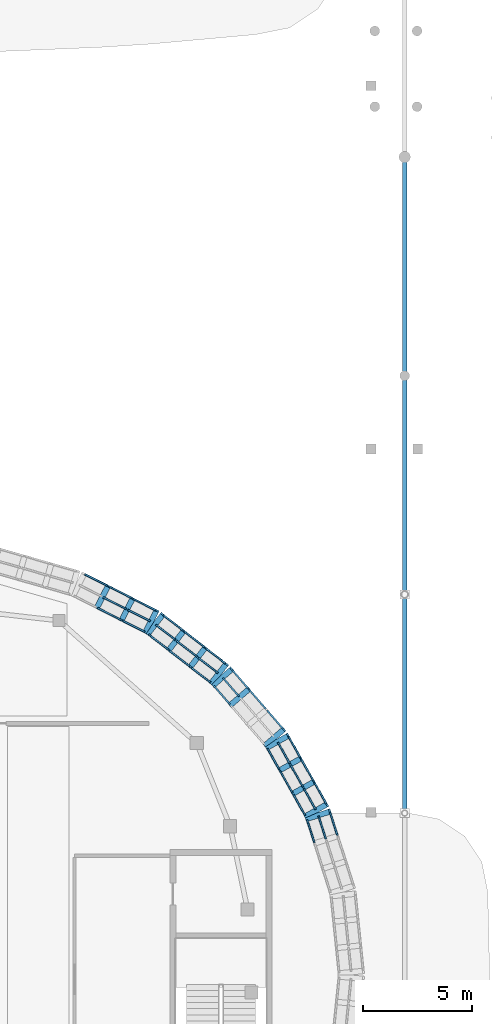
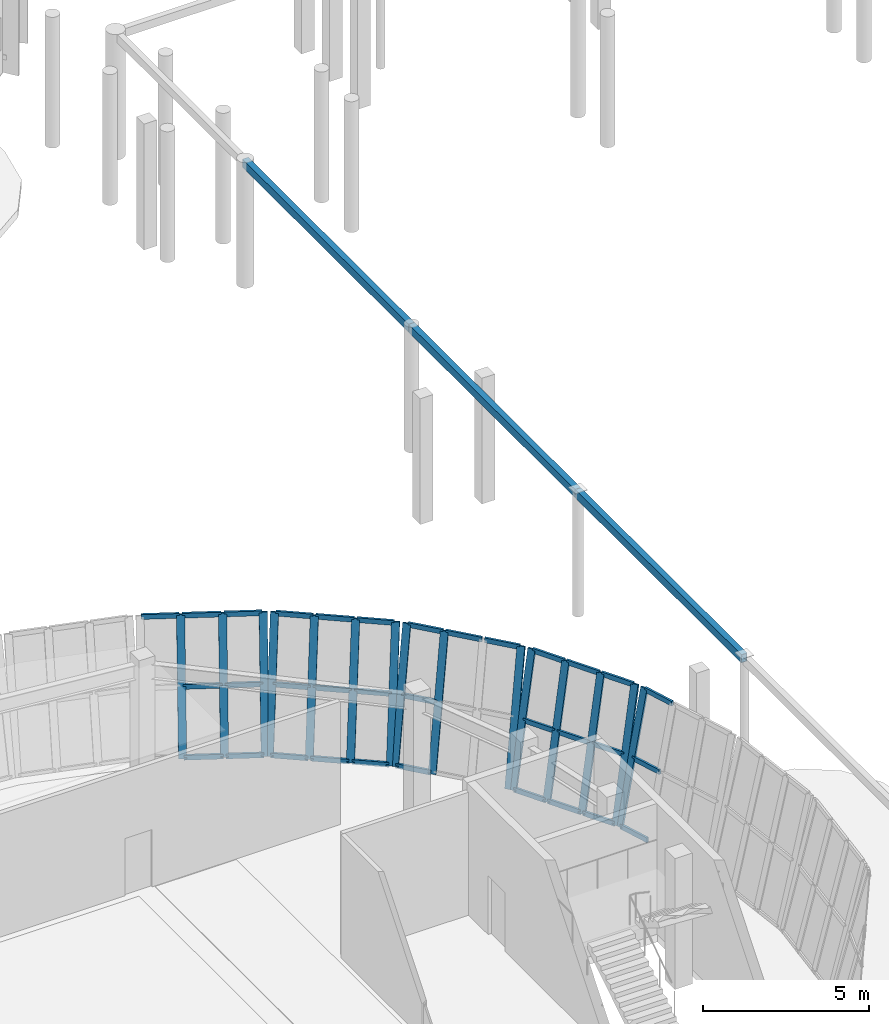
# One storey, part 29 of 120: 48 members, 3 beams, 5 elements without a shape of their own.
"""IFC4 building model written with IfcOpenShell, lengths in metres."""

import ifcopenshell
import ifcopenshell.guid

model = None  # the IFC model being written
_history = None  # IfcOwnerHistory: only IFC2X3 demands one
_inside = {}  # id of a spatial element -> (the spatial element, [elements in it])
_under = {}  # id of a project, library or spatial element -> (it, [spatial elements below it])
_declared = {}  # id of a project -> (the project, [libraries it declares])
_typed = {}  # id of a type object -> (the type object, [elements of that type])
_made_of = {}  # id of a material, layer set ... -> (it, [elements and type objects made of it])


def new_model(schema):
    """Start an empty IFC model of exactly this schema.

    Asked for "IFC4X3", IfcOpenShell would pick the latest addendum, in which some entities
    have other attributes; the version numbers below select the first issue.
    IFC2X3 requires an IfcOwnerHistory on every rooted entity: one is made here for all.
    """
    global model, _history
    if schema == "IFC4X3":
        model = ifcopenshell.file(schema_version=(4, 3, 0, 0))
    else:
        model = ifcopenshell.file(schema=schema)
    _inside.clear()
    _under.clear()
    _declared.clear()
    _typed.clear()
    _made_of.clear()
    _history = None
    if model.schema == "IFC2X3":
        org = make("IfcOrganization", Name="unknown")
        user = make(
            "IfcPersonAndOrganization",
            ThePerson=make("IfcPerson", FamilyName="unknown"),
            TheOrganization=org,
        )
        app = make(
            "IfcApplication",
            ApplicationDeveloper=org,
            Version="unknown",
            ApplicationFullName="unknown",
            ApplicationIdentifier="unknown",
        )
        _history = make(
            "IfcOwnerHistory",
            OwningUser=user,
            OwningApplication=app,
            ChangeAction="ADDED",
            CreationDate=0,
        )
    return model


def make(cls, **values):
    """One entity of the class cls with the attributes given. An attribute that is None is left unset."""
    return model.create_entity(
        cls, **{name: value for name, value in values.items() if value is not None}
    )


def rooted(cls, **values):
    """An entity with a GlobalId (a new one), such as an element, a storey or a relation."""
    return make(cls, GlobalId=ifcopenshell.guid.new(), OwnerHistory=_history, **values)


def si_unit(unit_type, name, prefix=None):
    """IfcSIUnit, for example si_unit("LENGTHUNIT", "METRE", prefix="MILLI")."""
    return make("IfcSIUnit", UnitType=unit_type, Prefix=prefix, Name=name)


def assignment(units):
    """IfcUnitAssignment: the units of a project."""
    return None if units is None else make("IfcUnitAssignment", Units=units)


def point(xyz):
    """IfcCartesianPoint."""
    return None if xyz is None else make("IfcCartesianPoint", Coordinates=xyz)


def direction(xyz):
    """IfcDirection."""
    return None if xyz is None else make("IfcDirection", DirectionRatios=xyz)


def frame(location, z_axis=None, x_axis=None):
    """IfcAxis2Placement3D, a coordinate frame: its origin and axes. An axis left out is left unset."""
    return make(
        "IfcAxis2Placement3D",
        Location=point(location),
        Axis=direction(z_axis),
        RefDirection=direction(x_axis),
    )


def frame_2d(location, x_axis=None):
    """IfcAxis2Placement2D, a coordinate frame in the plane: its origin and x axis."""
    return make(
        "IfcAxis2Placement2D", Location=point(location), RefDirection=direction(x_axis)
    )


def origin():
    """The frame at (0, 0, 0) with its axes left unset."""
    return frame((0.0, 0.0, 0.0))


def origin_2d():
    """The frame at (0, 0) in the plane with its x axis left unset."""
    return frame_2d((0.0, 0.0))


def place(relative_to, where):
    """IfcLocalPlacement: puts the frame where relative to a parent placement (None: the world)."""
    return make(
        "IfcLocalPlacement", PlacementRelTo=relative_to, RelativePlacement=where
    )


def context(
    kind, dimensions, precision=None, world=None, true_north=None, identifier=None
):
    """IfcGeometricRepresentationContext, for example the 3D "Model" context."""
    return make(
        "IfcGeometricRepresentationContext",
        ContextIdentifier=identifier,
        ContextType=kind,
        CoordinateSpaceDimension=dimensions,
        Precision=precision,
        WorldCoordinateSystem=world,
        TrueNorth=true_north,
    )


def subcontext(parent, identifier, kind, view, scale=None):
    """IfcGeometricRepresentationSubContext, for example "Body" below "Model"."""
    return make(
        "IfcGeometricRepresentationSubContext",
        ContextIdentifier=identifier,
        ContextType=kind,
        ParentContext=parent,
        TargetScale=scale,
        TargetView=view,
    )


def project(units=None, contexts=None):
    """IfcProject with its units and contexts."""
    return rooted(
        "IfcProject",
        Name="project",
        RepresentationContexts=contexts,
        UnitsInContext=assignment(units),
    )


def spatial(cls, under=None, at=None, **own):
    """A site, building, storey or space (cls), placed at a placement, below another one or the project."""
    s = rooted(cls, ObjectPlacement=at, **own)
    if under is not None:
        _under.setdefault(under.id(), (under, []))[1].append(s)
    return s


def profile(cls, at=None, kind="AREA", **sizes):
    """A parametric profile (cls). Its sizes go by their IFC names, for example OverallWidth=200.0."""
    return make(cls, ProfileType=kind, Position=at, **sizes)


def rectangle(**sizes):
    """IfcRectangleProfileDef."""
    return profile("IfcRectangleProfileDef", **sizes)


def hollow_rectangle(**sizes):
    """IfcRectangleHollowProfileDef."""
    return profile("IfcRectangleHollowProfileDef", **sizes)


def extrude(swept, where, along, depth):
    """IfcExtrudedAreaSolid: the profile swept, set in the frame where, extruded along a direction by depth."""
    return make(
        "IfcExtrudedAreaSolid",
        SweptArea=swept,
        Position=where,
        ExtrudedDirection=direction(along),
        Depth=depth,
    )


def shape(context_of_items, identifier, shape_type, items):
    """IfcShapeRepresentation: the items that make up one representation, for example the "Body"."""
    return make(
        "IfcShapeRepresentation",
        ContextOfItems=context_of_items,
        RepresentationIdentifier=identifier,
        RepresentationType=shape_type,
        Items=items,
    )


def material(Name=None, Category=None):
    """IfcMaterial."""
    return make("IfcMaterial", Name=Name, Category=Category)


def material_profile(
    of_material, cross_section, Name=None, Category=None, Priority=None
):
    """IfcMaterialProfile: a cross section and its material."""
    return make(
        "IfcMaterialProfile",
        Name=Name,
        Material=of_material,
        Profile=cross_section,
        Priority=Priority,
        Category=Category,
    )


def profile_set(profiles, Name=None, composite=None):
    """IfcMaterialProfileSet."""
    return make(
        "IfcMaterialProfileSet",
        Name=Name,
        MaterialProfiles=profiles,
        CompositeProfile=composite,
    )


def made_of(thing, what):
    """Note that an element or type object is made of a material, layer set ...; save() writes the relation."""
    if what is not None:
        _made_of.setdefault(what.id(), (what, []))[1].append(thing)
    return thing


def type_object(cls, material=None, **own):
    """A type object (cls), such as IfcWallType, which elements share."""
    return made_of(rooted(cls, **own), material)


def element(
    cls,
    number,
    at=None,
    inside=None,
    cuts=None,
    type_object=None,
    material=None,
    context=None,
    identifier="Body",
    shape_type=None,
    held_by="IfcProductDefinitionShape",
    body=None,
    shapes=None,
    **own,
):
    """One element of the class cls, such as IfcWall. Its Tag is "e" and its number.

    at: its placement. inside: the storey or other place that contains it. cuts: it is an
    opening in that element (IfcRelVoidsElement). A single representation is given by context,
    identifier, shape_type and body (its items); several are given by shapes. held_by: the class
    of the entity that holds the representations. save() writes the other relations.
    """
    e = rooted(cls, Tag="e%d" % number, ObjectPlacement=at, **own)
    if body is not None:
        shapes = [shape(context, identifier, shape_type, body)]
    if shapes is not None:
        e.Representation = make(held_by, Representations=shapes)
    if inside is not None:
        _inside.setdefault(inside.id(), (inside, []))[1].append(e)
    if cuts is not None:
        rooted(
            "IfcRelVoidsElement", RelatingBuildingElement=cuts, RelatedOpeningElement=e
        )
    if type_object is not None:
        _typed.setdefault(type_object.id(), (type_object, []))[1].append(e)
    return made_of(e, material)


def aggregate(whole, parts):
    """IfcRelAggregates: a whole, such as a stair, and the parts it consists of."""
    return rooted("IfcRelAggregates", RelatingObject=whole, RelatedObjects=parts)


def save(model, path):
    """Write the relations noted so far, then the file.

    IfcRelAggregates (storeys below a building ...), IfcRelContainedInSpatialStructure (elements
    in a storey), IfcRelDefinesByType, IfcRelAssociatesMaterial and IfcRelDeclares: one each for
    every whole, place, type object, material and project.
    """
    for whole, parts in _under.values():
        aggregate(whole, parts)
    for where, things in _inside.values():
        rooted(
            "IfcRelContainedInSpatialStructure",
            RelatedElements=things,
            RelatingStructure=where,
        )
    for kind, things in _typed.values():
        rooted("IfcRelDefinesByType", RelatedObjects=things, RelatingType=kind)
    for what, things in _made_of.values():
        rooted("IfcRelAssociatesMaterial", RelatedObjects=things, RelatingMaterial=what)
    for by, libraries in _declared.values():
        rooted("IfcRelDeclares", RelatingContext=by, RelatedDefinitions=libraries)
    model.write(path)


model = new_model("IFC4")

# Units and contexts
model_context = context("Model", 3, precision=1e-05, world=origin(), true_north=direction((0.0, 1.0)))
body_context = subcontext(model_context, "Body", "Model", "MODEL_VIEW")
ifc_project = project(units=[si_unit("LENGTHUNIT", "METRE"), si_unit("AREAUNIT", "SQUARE_METRE"), si_unit("VOLUMEUNIT", "CUBIC_METRE"), si_unit("PLANEANGLEUNIT", "RADIAN"), si_unit("MASSUNIT", "GRAM", prefix="KILO")], contexts=[model_context])

# Site, building, storey
site_placement = place(None, origin())
site = spatial("IfcSite", under=ifc_project, at=site_placement, CompositionType="ELEMENT")
building_placement = place(site_placement, origin())
building = spatial("IfcBuilding", under=site, at=building_placement, Name="Corveleigh Park Community Centre", CompositionType="ELEMENT")
storey_placement = place(building_placement, origin())
storey = spatial("IfcBuildingStorey", under=building, at=storey_placement, Name="L00", CompositionType="ELEMENT", Elevation=0.0)

# Curtain wall, member
ifc_material_1 = material(Name="Anodised aluminium 6063-T6", Category="aluminium")
curtain_wall_type = type_object("IfcCurtainWallType", Name="CW-SYS-V1-L00", PredefinedType="NOTDEFINED", material=ifc_material_1)
curtain_wall_1_placement = place(storey_placement, origin())
curtain_wall_1 = element("IfcCurtainWall", 1, at=curtain_wall_1_placement, inside=storey, type_object=curtain_wall_type, Name="Main Hall Flared Drum CW 2", PredefinedType="NOTDEFINED")
ifc_material_profile_1 = material_profile(ifc_material_1, rectangle(XDim=0.080078125, YDim=0.25, at=origin_2d()), Name="ALU-M80x250", Category="aluminium")
ifc_profile_set_1 = profile_set([ifc_material_profile_1], Name="Anodised aluminium 6063-T6")
member_type_1 = type_object("IfcMemberType", Name="CWM-80x250", PredefinedType="MULLION", material=ifc_profile_set_1)
member_1_placement = place(storey_placement, frame((49.313232421875, 34.73095703125, 0.0), z_axis=(0.230432884742, 0.073660819616, 0.970296227594), x_axis=(-0.924223979595, -0.295440018996, 0.241919884914)))
member_1 = element("IfcMember", 2, at=member_1_placement, type_object=member_type_1, Name="CW01 mullion 4", PredefinedType="MULLION", context=body_context, shape_type="SweptSolid", body=[
    extrude(rectangle(XDim=0.080078125, YDim=0.25, at=origin_2d()), origin(), (0.0, 0.0, 1.0), 4.650146484375),
])

# Curtain wall, members
curtain_wall_2_placement = place(storey_placement, origin())
curtain_wall_2 = element("IfcCurtainWall", 3, at=curtain_wall_2_placement, inside=storey, type_object=curtain_wall_type, Name="Main Hall Flared Drum CW 3", PredefinedType="NOTDEFINED")
member_2_placement = place(storey_placement, frame((49.260498046875, 34.851806640625, 0.0), z_axis=(0.210798134358, 0.118655985965, 0.970301449832), x_axis=(-0.845550363495, -0.475951138605, 0.241898938514)))
member_2 = element("IfcMember", 4, at=member_2_placement, type_object=member_type_1, Name="CW01 mullion 1", PredefinedType="MULLION", context=body_context, shape_type="SweptSolid", body=[
    extrude(rectangle(XDim=0.080078125, YDim=0.25, at=origin_2d()), origin(), (0.0, 0.0, 1.0), 4.650146484375),
])
member_3_placement = place(storey_placement, frame((48.6787109375, 35.88525390625, 0.0), z_axis=(0.21079682086, 0.118707748932, 0.970295403812), x_axis=(-0.845455069126, -0.476108072551, 0.241923188928)))
member_3 = element("IfcMember", 5, at=member_3_placement, type_object=member_type_1, Name="CW01 mullion 2", PredefinedType="MULLION", context=body_context, shape_type="SweptSolid", body=[
    extrude(rectangle(XDim=0.080078125, YDim=0.25, at=origin_2d()), origin(), (0.0, 0.0, 1.0), 4.650146484375),
])
member_4_placement = place(storey_placement, frame((48.077392578125, 36.95361328125, 0.0), z_axis=(0.210798134358, 0.118655985965, 0.970301449832), x_axis=(-0.845550363495, -0.475951138605, 0.241898938514)))
member_4 = element("IfcMember", 6, at=member_4_placement, type_object=member_type_1, Name="CW01 mullion 3", PredefinedType="MULLION", context=body_context, shape_type="SweptSolid", body=[
    extrude(rectangle(XDim=0.080078125, YDim=0.25, at=origin_2d()), origin(), (0.0, 0.0, 1.0), 4.650146484375),
])
member_5_placement = place(storey_placement, frame((47.49560546875, 37.987060546875, 0.0), z_axis=(0.210846989392, 0.118706435014, 0.970284664081), x_axis=(-0.845496396273, -0.476012786846, 0.24196625932)))
member_5 = element("IfcMember", 7, at=member_5_placement, type_object=member_type_1, Name="CW01 mullion 4", PredefinedType="MULLION", context=body_context, shape_type="SweptSolid", body=[
    extrude(rectangle(XDim=0.080078125, YDim=0.25, at=origin_2d()), origin(), (0.0, 0.0, 1.0), 4.650146484375),
])

curtain_wall_3_placement = place(storey_placement, origin())
curtain_wall_3 = element("IfcCurtainWall", 8, at=curtain_wall_3_placement, inside=storey, type_object=curtain_wall_type, Name="Main Hall Flared Drum CW 4", PredefinedType="NOTDEFINED")
member_6_placement = place(storey_placement, frame((47.419921875, 38.09521484375, 0.0), z_axis=(0.183022072182, 0.158241114618, 0.970289993115), x_axis=(-0.733987338895, -0.634606379641, 0.241944888893)))
member_6 = element("IfcMember", 9, at=member_6_placement, type_object=member_type_1, Name="CW01 mullion 1", PredefinedType="MULLION", context=body_context, shape_type="SweptSolid", body=[
    extrude(rectangle(XDim=0.080078125, YDim=0.25, at=origin_2d()), origin(), (0.0, 0.0, 1.0), 4.650146484375),
])
member_7_placement = place(storey_placement, frame((45.827392578125, 39.937744140625, 0.0), z_axis=(0.183023592492, 0.158189926615, 0.970298053027), x_axis=(-0.734097613689, -0.634491138854, 0.241912563318)))
member_7 = element("IfcMember", 10, at=member_7_placement, type_object=member_type_1, Name="CW01 mullion 3", PredefinedType="MULLION", context=body_context, shape_type="SweptSolid", body=[
    extrude(rectangle(XDim=0.080078125, YDim=0.25, at=origin_2d()), origin(), (0.0, 0.0, 1.0), 4.650146484375),
])
member_8_placement = place(storey_placement, frame((45.044189453125, 40.84375, 0.0), z_axis=(0.183023592492, 0.158189926615, 0.970298053027), x_axis=(-0.734097613689, -0.634491138854, 0.241912563318)))
member_8 = element("IfcMember", 11, at=member_8_placement, type_object=member_type_1, Name="CW01 mullion 4", PredefinedType="MULLION", context=body_context, shape_type="SweptSolid", body=[
    extrude(rectangle(XDim=0.080078125, YDim=0.25, at=origin_2d()), origin(), (0.0, 0.0, 1.0), 4.650146484375),
])

curtain_wall_4_placement = place(storey_placement, origin())
curtain_wall_4 = element("IfcCurtainWall", 12, at=curtain_wall_4_placement, inside=storey, type_object=curtain_wall_type, Name="Main Hall Flared Drum CW 5", PredefinedType="NOTDEFINED")
member_9_placement = place(storey_placement, frame((44.948486328125, 40.9345703125, 0.0), z_axis=(0.148737689421, 0.190844158505, 0.970286353048), x_axis=(-0.596455846134, -0.765307801164, 0.241959486463)))
member_9 = element("IfcMember", 13, at=member_9_placement, type_object=member_type_1, Name="CW01 mullion 1", PredefinedType="MULLION", context=body_context, shape_type="SweptSolid", body=[
    extrude(rectangle(XDim=0.080078125, YDim=0.25, at=origin_2d()), origin(), (0.0, 0.0, 1.0), 4.650146484375),
])
member_10_placement = place(storey_placement, frame((43.993408203125, 41.678955078125, 0.0), z_axis=(0.14868634848, 0.190845648562, 0.970293928766), x_axis=(-0.596329496109, -0.765415861001, 0.241929104903)))
member_10 = element("IfcMember", 14, at=member_10_placement, type_object=member_type_1, Name="CW01 mullion 2", PredefinedType="MULLION", context=body_context, shape_type="SweptSolid", body=[
    extrude(rectangle(XDim=0.080078125, YDim=0.25, at=origin_2d()), origin(), (0.0, 0.0, 1.0), 4.650146484375),
])
member_11_placement = place(storey_placement, frame((43.006591796875, 42.447998046875, 0.0), z_axis=(0.14873917954, 0.190793568108, 0.970296073803), x_axis=(-0.596563916209, -0.765235888282, 0.241920501739)))
member_11 = element("IfcMember", 15, at=member_11_placement, type_object=member_type_1, Name="CW01 mullion 3", PredefinedType="MULLION", context=body_context, shape_type="SweptSolid", body=[
    extrude(rectangle(XDim=0.080078125, YDim=0.25, at=origin_2d()), origin(), (0.0, 0.0, 1.0), 4.650146484375),
])
member_12_placement = place(storey_placement, frame((42.051513671875, 43.1923828125, 0.0), z_axis=(0.148737689421, 0.190844158505, 0.970286353048), x_axis=(-0.596455846134, -0.765307801164, 0.241959486463)))
member_12 = element("IfcMember", 16, at=member_12_placement, type_object=member_type_1, Name="CW01 mullion 4", PredefinedType="MULLION", context=body_context, shape_type="SweptSolid", body=[
    extrude(rectangle(XDim=0.080078125, YDim=0.25, at=origin_2d()), origin(), (0.0, 0.0, 1.0), 4.650146484375),
])

curtain_wall_5_placement = place(storey_placement, origin())
curtain_wall_5 = element("IfcCurtainWall", 17, at=curtain_wall_5_placement, inside=storey, type_object=curtain_wall_type, Name="Main Hall Flared Drum CW 6", PredefinedType="NOTDEFINED")
member_13_placement = place(storey_placement, frame((41.9423828125, 43.260986328125, 0.0), z_axis=(0.109466287419, 0.215782465848, 0.970286070884), x_axis=(-0.438970667231, -0.865309085045, 0.241960617971)))
member_13 = element("IfcMember", 18, at=member_13_placement, type_object=member_type_1, Name="CW01 mullion 1", PredefinedType="MULLION", context=body_context, shape_type="SweptSolid", body=[
    extrude(rectangle(XDim=0.080078125, YDim=0.25, at=origin_2d()), origin(), (0.0, 0.0, 1.0), 4.650146484375),
])
member_14_placement = place(storey_placement, frame((40.8515625, 43.814697265625, 0.0), z_axis=(0.10951940025, 0.215731167607, 0.97029148419), x_axis=(-0.439225512909, -0.865185825763, 0.241938909041)))
member_14 = element("IfcMember", 19, at=member_14_placement, type_object=member_type_1, Name="CW01 mullion 2", PredefinedType="MULLION", context=body_context, shape_type="SweptSolid", body=[
    extrude(rectangle(XDim=0.080078125, YDim=0.25, at=origin_2d()), origin(), (0.0, 0.0, 1.0), 4.650146484375),
])
member_15_placement = place(storey_placement, frame((39.725341796875, 44.38623046875, 0.0), z_axis=(0.10946752743, 0.215732407774, 0.970297062077), x_axis=(-0.439060599847, -0.865275781665, 0.241916537933)))
member_15 = element("IfcMember", 20, at=member_15_placement, type_object=member_type_1, Name="CW01 mullion 3", PredefinedType="MULLION", context=body_context, shape_type="SweptSolid", body=[
    extrude(rectangle(XDim=0.080078125, YDim=0.25, at=origin_2d()), origin(), (0.0, 0.0, 1.0), 4.650146484375),
])

# Member
ifc_material_profile_2 = material_profile(ifc_material_1, rectangle(XDim=0.074951171875, YDim=0.175048828125, at=origin_2d()), Name="ALU-T75x175", Category="aluminium")
ifc_profile_set_2 = profile_set([ifc_material_profile_2], Name="Anodised aluminium 6063-T6")
member_type_2 = type_object("IfcMemberType", Name="CWT-75x175", PredefinedType="USERDEFINED", material=ifc_profile_set_2)
member_16_placement = place(storey_placement, frame((49.66796875, 33.651611328125, 0.03759765625), z_axis=(-0.304508988552, 0.952509462363, 0.0), x_axis=(-0.952509462363, -0.304508988552, 0.0)))
member_16 = element("IfcMember", 21, at=member_16_placement, type_object=member_type_2, Name="CW01 transom 3.1", ObjectType="TRANSOM", PredefinedType="USERDEFINED", context=body_context, shape_type="SweptSolid", body=[
    extrude(rectangle(XDim=0.074951171875, YDim=0.175048828125, at=origin_2d()), origin(), (0.0, 0.0, 1.0), 1.095947265625),
])

member_17_placement = place(storey_placement, frame((50.193603515625, 33.819580078125, 2.25), z_axis=(-0.304711069795, 0.952444835119, 0.0), x_axis=(-0.952444835119, -0.304711069795, 0.0)))
member_17 = element("IfcMember", 22, at=member_17_placement, type_object=member_type_2, Name="CW01 transom 3.2", ObjectType="TRANSOM", PredefinedType="USERDEFINED", context=body_context, shape_type="SweptSolid", body=[
    extrude(rectangle(XDim=0.074951171875, YDim=0.175048828125, at=origin_2d()), origin(), (0.0, 0.0, 1.0), 1.095947265625),
])

member_18_placement = place(storey_placement, frame((50.721923828125, 33.988525390625, 4.474609375), z_axis=(-0.304711069795, 0.952444835119, 0.0), x_axis=(-0.952444835119, -0.304711069795, 0.0)))
member_18 = element("IfcMember", 23, at=member_18_placement, type_object=member_type_2, Name="CW01 transom 3.3", ObjectType="TRANSOM", PredefinedType="USERDEFINED", context=body_context, shape_type="SweptSolid", body=[
    extrude(rectangle(XDim=0.074951171875, YDim=0.175048828125, at=origin_2d()), origin(), (0.0, 0.0, 1.0), 1.095947265625),
])

aggregate(curtain_wall_1, [member_1, member_16, member_17, member_18])

member_19_placement = place(storey_placement, frame((49.2490234375, 34.891357421875, 0.03759765625), z_axis=(-0.490565186833, 0.871404497043, 0.0), x_axis=(-0.871404497043, -0.490565186833, 0.0)))
member_19 = element("IfcMember", 24, at=member_19_placement, type_object=member_type_2, Name="CW01 transom 1.1", ObjectType="TRANSOM", PredefinedType="USERDEFINED", context=body_context, shape_type="SweptSolid", body=[
    extrude(rectangle(XDim=0.074951171875, YDim=0.175048828125, at=origin_2d()), origin(), (0.0, 0.0, 1.0), 1.105712890625),
])

member_20_placement = place(storey_placement, frame((49.729736328125, 35.161865234375, 2.25), z_axis=(-0.490470824454, 0.871457612486, 0.0), x_axis=(-0.871457612486, -0.490470824454, 0.0)))
member_20 = element("IfcMember", 25, at=member_20_placement, type_object=member_type_2, Name="CW01 transom 1.2", ObjectType="TRANSOM", PredefinedType="USERDEFINED", context=body_context, shape_type="SweptSolid", body=[
    extrude(rectangle(XDim=0.074951171875, YDim=0.175048828125, at=origin_2d()), origin(), (0.0, 0.0, 1.0), 1.10595703125),
])

member_21_placement = place(storey_placement, frame((50.212890625, 35.433837890625, 4.474609375), z_axis=(-0.490470824454, 0.871457612486, 0.0), x_axis=(-0.871457612486, -0.490470824454, 0.0)))
member_21 = element("IfcMember", 26, at=member_21_placement, type_object=member_type_2, Name="CW01 transom 1.3", ObjectType="TRANSOM", PredefinedType="USERDEFINED", context=body_context, shape_type="SweptSolid", body=[
    extrude(rectangle(XDim=0.074951171875, YDim=0.175048828125, at=origin_2d()), origin(), (0.0, 0.0, 1.0), 1.10595703125),
])

member_22_placement = place(storey_placement, frame((48.667236328125, 35.9248046875, 0.03759765625), z_axis=(-0.490645560304, 0.871359245176, 0.0), x_axis=(-0.871359245176, -0.490645560304, 0.0)))
member_22 = element("IfcMember", 27, at=member_22_placement, type_object=member_type_2, Name="CW01 transom 2.1", ObjectType="TRANSOM", PredefinedType="USERDEFINED", context=body_context, shape_type="SweptSolid", body=[
    extrude(rectangle(XDim=0.074951171875, YDim=0.175048828125, at=origin_2d()), origin(), (0.0, 0.0, 1.0), 1.14599609375),
])

member_23_placement = place(storey_placement, frame((49.14794921875, 36.1953125, 2.25), z_axis=(-0.490392717818, 0.87150156759, 0.0), x_axis=(-0.87150156759, -0.490392717818, 0.0)))
member_23 = element("IfcMember", 28, at=member_23_placement, type_object=member_type_2, Name="CW01 transom 2.2", ObjectType="TRANSOM", PredefinedType="USERDEFINED", context=body_context, shape_type="SweptSolid", body=[
    extrude(rectangle(XDim=0.074951171875, YDim=0.175048828125, at=origin_2d()), origin(), (0.0, 0.0, 1.0), 1.14599609375),
])

member_24_placement = place(storey_placement, frame((49.63134765625, 36.467529296875, 4.474609375), z_axis=(-0.490645560304, 0.871359245176, 0.0), x_axis=(-0.871359245176, -0.490645560304, 0.0)))
member_24 = element("IfcMember", 29, at=member_24_placement, type_object=member_type_2, Name="CW01 transom 2.3", ObjectType="TRANSOM", PredefinedType="USERDEFINED", context=body_context, shape_type="SweptSolid", body=[
    extrude(rectangle(XDim=0.074951171875, YDim=0.175048828125, at=origin_2d()), origin(), (0.0, 0.0, 1.0), 1.14599609375),
])

member_25_placement = place(storey_placement, frame((48.06591796875, 36.9931640625, 0.03759765625), z_axis=(-0.490565186833, 0.871404497043, 0.0), x_axis=(-0.871404497043, -0.490565186833, 0.0)))
member_25 = element("IfcMember", 30, at=member_25_placement, type_object=member_type_2, Name="CW01 transom 3.1", ObjectType="TRANSOM", PredefinedType="USERDEFINED", context=body_context, shape_type="SweptSolid", body=[
    extrude(rectangle(XDim=0.074951171875, YDim=0.175048828125, at=origin_2d()), origin(), (0.0, 0.0, 1.0), 1.105712890625),
])

member_26_placement = place(storey_placement, frame((48.546630859375, 37.263671875, 2.25), z_axis=(-0.490470824454, 0.871457612486, 0.0), x_axis=(-0.871457612486, -0.490470824454, 0.0)))
member_26 = element("IfcMember", 31, at=member_26_placement, type_object=member_type_2, Name="CW01 transom 3.2", ObjectType="TRANSOM", PredefinedType="USERDEFINED", context=body_context, shape_type="SweptSolid", body=[
    extrude(rectangle(XDim=0.074951171875, YDim=0.175048828125, at=origin_2d()), origin(), (0.0, 0.0, 1.0), 1.10595703125),
])

member_27_placement = place(storey_placement, frame((49.030029296875, 37.53564453125, 4.474609375), z_axis=(-0.490470824454, 0.871457612486, 0.0), x_axis=(-0.871457612486, -0.490470824454, 0.0)))
member_27 = element("IfcMember", 32, at=member_27_placement, type_object=member_type_2, Name="CW01 transom 3.3", ObjectType="TRANSOM", PredefinedType="USERDEFINED", context=body_context, shape_type="SweptSolid", body=[
    extrude(rectangle(XDim=0.074951171875, YDim=0.175048828125, at=origin_2d()), origin(), (0.0, 0.0, 1.0), 1.10595703125),
])

aggregate(curtain_wall_2, [member_2, member_3, member_4, member_5, member_19, member_20, member_21, member_22, member_23, member_24, member_25, member_26, member_27])

member_28_placement = place(storey_placement, frame((48.23779296875, 38.85498046875, 4.474609375), z_axis=(-0.653915512177, 0.756567579886, 0.0), x_axis=(-0.756567579886, -0.653915512177, 0.0)))
member_28 = element("IfcMember", 33, at=member_28_placement, type_object=member_type_2, Name="CW01 transom 1.3", ObjectType="TRANSOM", PredefinedType="USERDEFINED", context=body_context, shape_type="SweptSolid", body=[
    extrude(rectangle(XDim=0.074951171875, YDim=0.175048828125, at=origin_2d()), origin(), (0.0, 0.0, 1.0), 1.117919921875),
])

member_29_placement = place(storey_placement, frame((47.45458984375, 39.76123046875, 4.474609375), z_axis=(-0.65399865839, 0.756495707076, 0.0), x_axis=(-0.756495707076, -0.65399865839, 0.0)))
member_29 = element("IfcMember", 34, at=member_29_placement, type_object=member_type_2, Name="CW01 transom 2.3", ObjectType="TRANSOM", PredefinedType="USERDEFINED", context=body_context, shape_type="SweptSolid", body=[
    extrude(rectangle(XDim=0.074951171875, YDim=0.175048828125, at=origin_2d()), origin(), (0.0, 0.0, 1.0), 1.15771484375),
])

member_30_placement = place(storey_placement, frame((45.808349609375, 39.97412109375, 0.03759765625), z_axis=(-0.654023576954, 0.756474163992, 0.0), x_axis=(-0.756474163992, -0.654023576954, 0.0)))
member_30 = element("IfcMember", 35, at=member_30_placement, type_object=member_type_2, Name="CW01 transom 3.1", ObjectType="TRANSOM", PredefinedType="USERDEFINED", context=body_context, shape_type="SweptSolid", body=[
    extrude(rectangle(XDim=0.074951171875, YDim=0.175048828125, at=origin_2d()), origin(), (0.0, 0.0, 1.0), 1.11767578125),
])

member_31_placement = place(storey_placement, frame((46.2255859375, 40.334716796875, 2.25), z_axis=(-0.653915512177, 0.756567579886, 0.0), x_axis=(-0.756567579886, -0.653915512177, 0.0)))
member_31 = element("IfcMember", 36, at=member_31_placement, type_object=member_type_2, Name="CW01 transom 3.2", ObjectType="TRANSOM", PredefinedType="USERDEFINED", context=body_context, shape_type="SweptSolid", body=[
    extrude(rectangle(XDim=0.074951171875, YDim=0.175048828125, at=origin_2d()), origin(), (0.0, 0.0, 1.0), 1.117919921875),
])

member_32_placement = place(storey_placement, frame((46.645263671875, 40.697509765625, 4.474609375), z_axis=(-0.654023576954, 0.756474163992, 0.0), x_axis=(-0.756474163992, -0.654023576954, 0.0)))
member_32 = element("IfcMember", 37, at=member_32_placement, type_object=member_type_2, Name="CW01 transom 3.3", ObjectType="TRANSOM", PredefinedType="USERDEFINED", context=body_context, shape_type="SweptSolid", body=[
    extrude(rectangle(XDim=0.074951171875, YDim=0.175048828125, at=origin_2d()), origin(), (0.0, 0.0, 1.0), 1.11767578125),
])

aggregate(curtain_wall_3, [member_6, member_7, member_8, member_28, member_29, member_30, member_31, member_32])

member_33_placement = place(storey_placement, frame((44.922607421875, 40.966552734375, 0.03759765625), z_axis=(-0.788724172933, 0.614747248088, 0.0), x_axis=(-0.614747248088, -0.788724172933, 0.0)))
member_33 = element("IfcMember", 38, at=member_33_placement, type_object=member_type_2, Name="CW01 transom 1.1", ObjectType="TRANSOM", PredefinedType="USERDEFINED", context=body_context, shape_type="SweptSolid", body=[
    extrude(rectangle(XDim=0.074951171875, YDim=0.175048828125, at=origin_2d()), origin(), (0.0, 0.0, 1.0), 1.131103515625),
])

member_34_placement = place(storey_placement, frame((45.26171875, 41.401611328125, 2.25), z_axis=(-0.788724172933, 0.614747248088, 0.0), x_axis=(-0.614747248088, -0.788724172933, 0.0)))
member_34 = element("IfcMember", 39, at=member_34_placement, type_object=member_type_2, Name="CW01 transom 1.2", ObjectType="TRANSOM", PredefinedType="USERDEFINED", context=body_context, shape_type="SweptSolid", body=[
    extrude(rectangle(XDim=0.074951171875, YDim=0.175048828125, at=origin_2d()), origin(), (0.0, 0.0, 1.0), 1.131103515625),
])

member_35_placement = place(storey_placement, frame((45.602783203125, 41.839111328125, 4.474609375), z_axis=(-0.788724172933, 0.614747248088, 0.0), x_axis=(-0.614747248088, -0.788724172933, 0.0)))
member_35 = element("IfcMember", 40, at=member_35_placement, type_object=member_type_2, Name="CW01 transom 1.3", ObjectType="TRANSOM", PredefinedType="USERDEFINED", context=body_context, shape_type="SweptSolid", body=[
    extrude(rectangle(XDim=0.074951171875, YDim=0.175048828125, at=origin_2d()), origin(), (0.0, 0.0, 1.0), 1.131103515625),
])

member_36_placement = place(storey_placement, frame((43.967529296875, 41.7109375, 0.03759765625), z_axis=(-0.788779283732, 0.614676534085, 0.0), x_axis=(-0.614676534085, -0.788779283732, 0.0)))
member_36 = element("IfcMember", 41, at=member_36_placement, type_object=member_type_2, Name="CW01 transom 2.1", ObjectType="TRANSOM", PredefinedType="USERDEFINED", context=body_context, shape_type="SweptSolid", body=[
    extrude(rectangle(XDim=0.074951171875, YDim=0.175048828125, at=origin_2d()), origin(), (0.0, 0.0, 1.0), 1.1708984375),
])

member_37_placement = place(storey_placement, frame((44.306640625, 42.14599609375, 2.25), z_axis=(-0.788678192977, 0.61480623608, 0.0), x_axis=(-0.61480623608, -0.788678192977, 0.0)))
member_37 = element("IfcMember", 42, at=member_37_placement, type_object=member_type_2, Name="CW01 transom 2.2", ObjectType="TRANSOM", PredefinedType="USERDEFINED", context=body_context, shape_type="SweptSolid", body=[
    extrude(rectangle(XDim=0.074951171875, YDim=0.175048828125, at=origin_2d()), origin(), (0.0, 0.0, 1.0), 1.171142578125),
])

member_38_placement = place(storey_placement, frame((44.647705078125, 42.58349609375, 4.474609375), z_axis=(-0.788678192977, 0.61480623608, 0.0), x_axis=(-0.61480623608, -0.788678192977, 0.0)))
member_38 = element("IfcMember", 43, at=member_38_placement, type_object=member_type_2, Name="CW01 transom 2.3", ObjectType="TRANSOM", PredefinedType="USERDEFINED", context=body_context, shape_type="SweptSolid", body=[
    extrude(rectangle(XDim=0.074951171875, YDim=0.175048828125, at=origin_2d()), origin(), (0.0, 0.0, 1.0), 1.171142578125),
])

member_39_placement = place(storey_placement, frame((42.98095703125, 42.47998046875, 0.03759765625), z_axis=(-0.788724172933, 0.614747248088, 0.0), x_axis=(-0.614747248088, -0.788724172933, 0.0)))
member_39 = element("IfcMember", 44, at=member_39_placement, type_object=member_type_2, Name="CW01 transom 3.1", ObjectType="TRANSOM", PredefinedType="USERDEFINED", context=body_context, shape_type="SweptSolid", body=[
    extrude(rectangle(XDim=0.074951171875, YDim=0.175048828125, at=origin_2d()), origin(), (0.0, 0.0, 1.0), 1.131103515625),
])

member_40_placement = place(storey_placement, frame((43.320068359375, 42.9150390625, 2.25), z_axis=(-0.788724172933, 0.614747248088, 0.0), x_axis=(-0.614747248088, -0.788724172933, 0.0)))
member_40 = element("IfcMember", 45, at=member_40_placement, type_object=member_type_2, Name="CW01 transom 3.2", ObjectType="TRANSOM", PredefinedType="USERDEFINED", context=body_context, shape_type="SweptSolid", body=[
    extrude(rectangle(XDim=0.074951171875, YDim=0.175048828125, at=origin_2d()), origin(), (0.0, 0.0, 1.0), 1.131103515625),
])

member_41_placement = place(storey_placement, frame((43.660888671875, 43.3525390625, 4.474609375), z_axis=(-0.788642578466, 0.614851919921, 0.0), x_axis=(-0.614851919921, -0.788642578466, 0.0)))
member_41 = element("IfcMember", 46, at=member_41_placement, type_object=member_type_2, Name="CW01 transom 3.3", ObjectType="TRANSOM", PredefinedType="USERDEFINED", context=body_context, shape_type="SweptSolid", body=[
    extrude(rectangle(XDim=0.074951171875, YDim=0.175048828125, at=origin_2d()), origin(), (0.0, 0.0, 1.0), 1.130859375),
])

aggregate(curtain_wall_4, [member_9, member_10, member_11, member_12, member_33, member_34, member_35, member_36, member_37, member_38, member_39, member_40, member_41])

member_42_placement = place(storey_placement, frame((41.910888671875, 43.28759765625, 0.03759765625), z_axis=(-0.89171981789, 0.452587854877, 0.0), x_axis=(-0.452587854877, -0.89171981789, 0.0)))
member_42 = element("IfcMember", 47, at=member_42_placement, type_object=member_type_2, Name="CW01 transom 1.1", ObjectType="TRANSOM", PredefinedType="USERDEFINED", context=body_context, shape_type="SweptSolid", body=[
    extrude(rectangle(XDim=0.074951171875, YDim=0.175048828125, at=origin_2d()), origin(), (0.0, 0.0, 1.0), 1.14306640625),
])

member_43_placement = place(storey_placement, frame((42.16064453125, 43.779541015625, 2.25), z_axis=(-0.89171981789, 0.452587854877, 0.0), x_axis=(-0.452587854877, -0.89171981789, 0.0)))
member_43 = element("IfcMember", 48, at=member_43_placement, type_object=member_type_2, Name="CW01 transom 1.2", ObjectType="TRANSOM", PredefinedType="USERDEFINED", context=body_context, shape_type="SweptSolid", body=[
    extrude(rectangle(XDim=0.074951171875, YDim=0.175048828125, at=origin_2d()), origin(), (0.0, 0.0, 1.0), 1.14306640625),
])

member_44_placement = place(storey_placement, frame((42.41162109375, 44.274169921875, 4.474609375), z_axis=(-0.89171981789, 0.452587854877, 0.0), x_axis=(-0.452587854877, -0.89171981789, 0.0)))
member_44 = element("IfcMember", 49, at=member_44_placement, type_object=member_type_2, Name="CW01 transom 1.3", ObjectType="TRANSOM", PredefinedType="USERDEFINED", context=body_context, shape_type="SweptSolid", body=[
    extrude(rectangle(XDim=0.074951171875, YDim=0.175048828125, at=origin_2d()), origin(), (0.0, 0.0, 1.0), 1.14306640625),
])

member_45_placement = place(storey_placement, frame((40.8203125, 43.841064453125, 0.03759765625), z_axis=(-0.891770533494, 0.45248791762, 0.0), x_axis=(-0.45248791762, -0.891770533494, 0.0)))
member_45 = element("IfcMember", 50, at=member_45_placement, type_object=member_type_2, Name="CW01 transom 2.1", ObjectType="TRANSOM", PredefinedType="USERDEFINED", context=body_context, shape_type="SweptSolid", body=[
    extrude(rectangle(XDim=0.074951171875, YDim=0.175048828125, at=origin_2d()), origin(), (0.0, 0.0, 1.0), 1.183349609375),
])

member_46_placement = place(storey_placement, frame((41.06982421875, 44.3330078125, 2.25), z_axis=(-0.891728276149, 0.452571189446, 0.0), x_axis=(-0.452571189446, -0.891728276149, 0.0)))
member_46 = element("IfcMember", 51, at=member_46_placement, type_object=member_type_2, Name="CW01 transom 2.2", ObjectType="TRANSOM", PredefinedType="USERDEFINED", context=body_context, shape_type="SweptSolid", body=[
    extrude(rectangle(XDim=0.074951171875, YDim=0.175048828125, at=origin_2d()), origin(), (0.0, 0.0, 1.0), 1.18310546875),
])

member_47_placement = place(storey_placement, frame((41.321044921875, 44.82763671875, 4.474609375), z_axis=(-0.891770533494, 0.45248791762, 0.0), x_axis=(-0.45248791762, -0.891770533494, 0.0)))
member_47 = element("IfcMember", 52, at=member_47_placement, type_object=member_type_2, Name="CW01 transom 2.3", ObjectType="TRANSOM", PredefinedType="USERDEFINED", context=body_context, shape_type="SweptSolid", body=[
    extrude(rectangle(XDim=0.074951171875, YDim=0.175048828125, at=origin_2d()), origin(), (0.0, 0.0, 1.0), 1.183349609375),
])

member_48_placement = place(storey_placement, frame((40.194580078125, 45.399169921875, 4.474609375), z_axis=(-0.89163361085, 0.452757665869, 0.0), x_axis=(-0.452757665869, -0.89163361085, 0.0)))
member_48 = element("IfcMember", 53, at=member_48_placement, type_object=member_type_2, Name="CW01 transom 3.3", ObjectType="TRANSOM", PredefinedType="USERDEFINED", context=body_context, shape_type="SweptSolid", body=[
    extrude(rectangle(XDim=0.074951171875, YDim=0.175048828125, at=origin_2d()), origin(), (0.0, 0.0, 1.0), 1.14306640625),
])

aggregate(curtain_wall_5, [member_13, member_14, member_15, member_42, member_43, member_44, member_45, member_46, member_47, member_48])

# Beams
ifc_material_2 = material(Name="Steel S355", Category="steel")
ifc_material_profile_3 = material_profile(ifc_material_2, hollow_rectangle(XDim=0.199951171875, YDim=0.300048828125, WallThickness=0.012451171875, at=origin_2d()), Name="RHS 300x200x12.5", Category="steel")
ifc_profile_set_3 = profile_set([ifc_material_profile_3], Name="Steel S355")
beam_type = type_object("IfcBeamType", Name="SP-STL-RHS300x200", PredefinedType="SPANDREL", material=ifc_profile_set_3)
for number, where, z_axis, x_axis, name in (
    (54, (53.800048828125, 35.0048828125, 4.449951171875), (0.0, 1.0, 0.0), (-1.0, 0.0, 0.0), "Covered Passage Canopy Girder"),
    (55, (53.800048828125, 45.0048828125, 4.449951171875), (0.0, 1.0, 0.0), (-1.0, 0.0, 0.0), "Covered Passage Canopy Girder"),
    (56, (53.800048828125, 55.0048828125, 4.449951171875), (0.0, 1.0, 0.0), (-1.0, 0.0, 0.0), "Covered Passage Canopy Girder"),
):
    element("IfcBeam", number, at=place(storey_placement, frame(where, z_axis=z_axis, x_axis=x_axis)), inside=storey, type_object=beam_type, Name=name, PredefinedType="SPANDREL", context=body_context, shape_type="SweptSolid", body=[
        extrude(hollow_rectangle(XDim=0.199951171875, YDim=0.300048828125, WallThickness=0.012451171875, at=origin_2d()), origin(), (0.0, 0.0, 1.0), 9.990234375),
    ])

save(model, "model.ifc")
